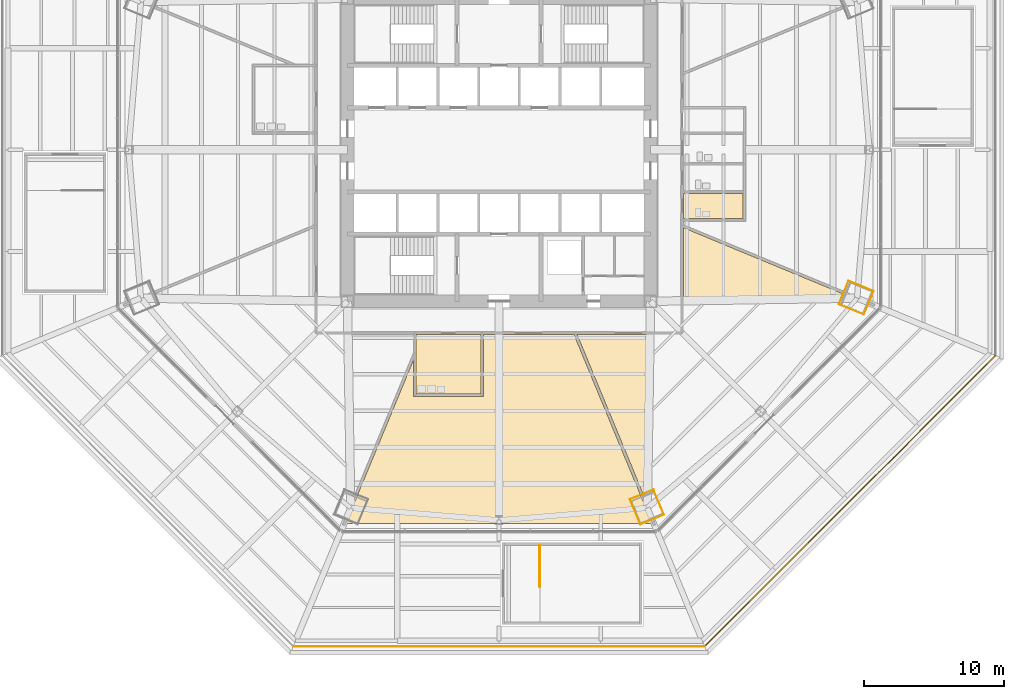
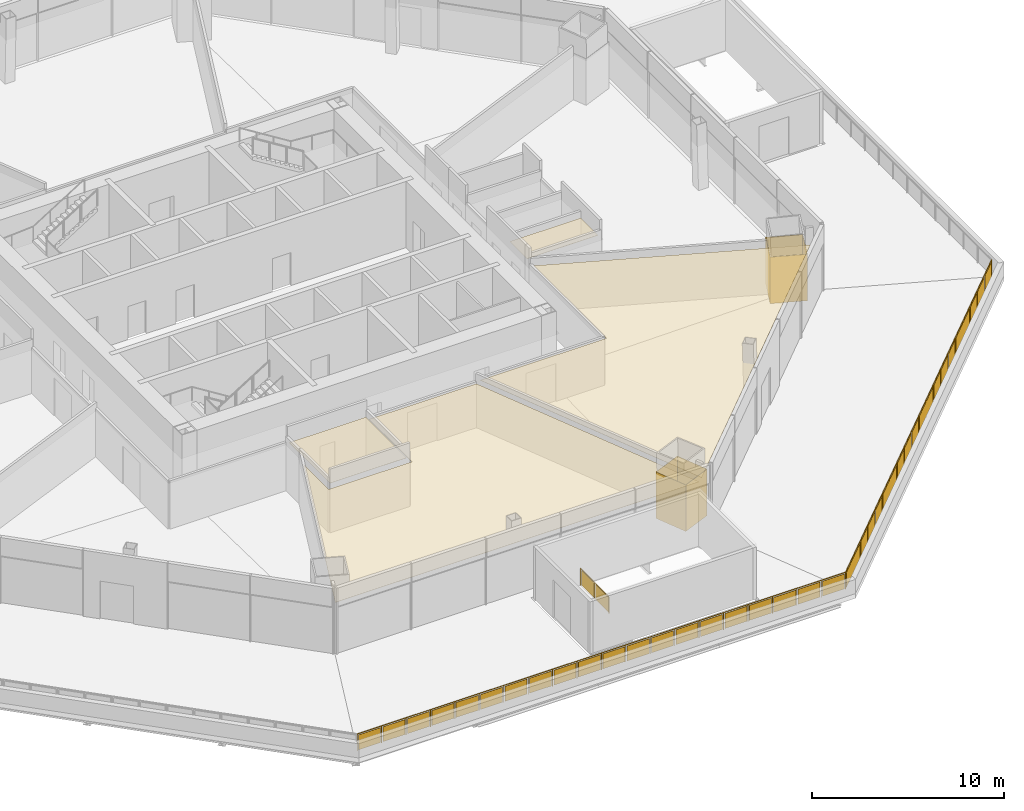
# One storey, part 20 of 25: 6 coverings, 3 railings.
"""IFC4 building model written with IfcOpenShell, lengths in metres."""

import ifcopenshell
import ifcopenshell.guid

model = None  # the IFC model being written
_history = None  # IfcOwnerHistory: only IFC2X3 demands one
_inside = {}  # id of a spatial element -> (the spatial element, [elements in it])
_under = {}  # id of a project, library or spatial element -> (it, [spatial elements below it])
_declared = {}  # id of a project -> (the project, [libraries it declares])
_typed = {}  # id of a type object -> (the type object, [elements of that type])
_made_of = {}  # id of a material, layer set ... -> (it, [elements and type objects made of it])


def new_model(schema):
    """Start an empty IFC model of exactly this schema.

    Asked for "IFC4X3", IfcOpenShell would pick the latest addendum, in which some entities
    have other attributes; the version numbers below select the first issue.
    IFC2X3 requires an IfcOwnerHistory on every rooted entity: one is made here for all.
    """
    global model, _history
    if schema == "IFC4X3":
        model = ifcopenshell.file(schema_version=(4, 3, 0, 0))
    else:
        model = ifcopenshell.file(schema=schema)
    _inside.clear()
    _under.clear()
    _declared.clear()
    _typed.clear()
    _made_of.clear()
    _history = None
    if model.schema == "IFC2X3":
        org = make("IfcOrganization", Name="unknown")
        user = make(
            "IfcPersonAndOrganization",
            ThePerson=make("IfcPerson", FamilyName="unknown"),
            TheOrganization=org,
        )
        app = make(
            "IfcApplication",
            ApplicationDeveloper=org,
            Version="unknown",
            ApplicationFullName="unknown",
            ApplicationIdentifier="unknown",
        )
        _history = make(
            "IfcOwnerHistory",
            OwningUser=user,
            OwningApplication=app,
            ChangeAction="ADDED",
            CreationDate=0,
        )
    return model


def make(cls, **values):
    """One entity of the class cls with the attributes given. An attribute that is None is left unset."""
    return model.create_entity(
        cls, **{name: value for name, value in values.items() if value is not None}
    )


def rooted(cls, **values):
    """An entity with a GlobalId (a new one), such as an element, a storey or a relation."""
    return make(cls, GlobalId=ifcopenshell.guid.new(), OwnerHistory=_history, **values)


def si_unit(unit_type, name, prefix=None):
    """IfcSIUnit, for example si_unit("LENGTHUNIT", "METRE", prefix="MILLI")."""
    return make("IfcSIUnit", UnitType=unit_type, Prefix=prefix, Name=name)


def assignment(units):
    """IfcUnitAssignment: the units of a project."""
    return None if units is None else make("IfcUnitAssignment", Units=units)


def point(xyz):
    """IfcCartesianPoint."""
    return None if xyz is None else make("IfcCartesianPoint", Coordinates=xyz)


def direction(xyz):
    """IfcDirection."""
    return None if xyz is None else make("IfcDirection", DirectionRatios=xyz)


def frame(location, z_axis=None, x_axis=None):
    """IfcAxis2Placement3D, a coordinate frame: its origin and axes. An axis left out is left unset."""
    return make(
        "IfcAxis2Placement3D",
        Location=point(location),
        Axis=direction(z_axis),
        RefDirection=direction(x_axis),
    )


def frame_2d(location, x_axis=None):
    """IfcAxis2Placement2D, a coordinate frame in the plane: its origin and x axis."""
    return make(
        "IfcAxis2Placement2D", Location=point(location), RefDirection=direction(x_axis)
    )


def origin():
    """The frame at (0, 0, 0) with its axes left unset."""
    return frame((0.0, 0.0, 0.0))


def origin_2d():
    """The frame at (0, 0) in the plane with its x axis left unset."""
    return frame_2d((0.0, 0.0))


def place(relative_to, where):
    """IfcLocalPlacement: puts the frame where relative to a parent placement (None: the world)."""
    return make(
        "IfcLocalPlacement", PlacementRelTo=relative_to, RelativePlacement=where
    )


def context(
    kind, dimensions, precision=None, world=None, true_north=None, identifier=None
):
    """IfcGeometricRepresentationContext, for example the 3D "Model" context."""
    return make(
        "IfcGeometricRepresentationContext",
        ContextIdentifier=identifier,
        ContextType=kind,
        CoordinateSpaceDimension=dimensions,
        Precision=precision,
        WorldCoordinateSystem=world,
        TrueNorth=true_north,
    )


def subcontext(parent, identifier, kind, view, scale=None):
    """IfcGeometricRepresentationSubContext, for example "Body" below "Model"."""
    return make(
        "IfcGeometricRepresentationSubContext",
        ContextIdentifier=identifier,
        ContextType=kind,
        ParentContext=parent,
        TargetScale=scale,
        TargetView=view,
    )


def project(units=None, contexts=None):
    """IfcProject with its units and contexts."""
    return rooted(
        "IfcProject",
        Name="project",
        RepresentationContexts=contexts,
        UnitsInContext=assignment(units),
    )


def spatial(cls, under=None, at=None, **own):
    """A site, building, storey or space (cls), placed at a placement, below another one or the project."""
    s = rooted(cls, ObjectPlacement=at, **own)
    if under is not None:
        _under.setdefault(under.id(), (under, []))[1].append(s)
    return s


def polyline(points):
    """IfcPolyline through the points."""
    return make("IfcPolyline", Points=[point(p) for p in points])


def profile(cls, at=None, kind="AREA", **sizes):
    """A parametric profile (cls). Its sizes go by their IFC names, for example OverallWidth=200.0."""
    return make(cls, ProfileType=kind, Position=at, **sizes)


def circle(**sizes):
    """IfcCircleProfileDef."""
    return profile("IfcCircleProfileDef", **sizes)


def outline(outer, holes=None, kind="AREA"):
    """IfcArbitraryClosedProfileDef: a profile drawn as a closed curve; with holes, ...WithVoids."""
    if holes is None:
        return make("IfcArbitraryClosedProfileDef", ProfileType=kind, OuterCurve=outer)
    return make(
        "IfcArbitraryProfileDefWithVoids",
        ProfileType=kind,
        OuterCurve=outer,
        InnerCurves=holes,
    )


def extrude(swept, where, along, depth):
    """IfcExtrudedAreaSolid: the profile swept, set in the frame where, extruded along a direction by depth."""
    return make(
        "IfcExtrudedAreaSolid",
        SweptArea=swept,
        Position=where,
        ExtrudedDirection=direction(along),
        Depth=depth,
    )


def shape(context_of_items, identifier, shape_type, items):
    """IfcShapeRepresentation: the items that make up one representation, for example the "Body"."""
    return make(
        "IfcShapeRepresentation",
        ContextOfItems=context_of_items,
        RepresentationIdentifier=identifier,
        RepresentationType=shape_type,
        Items=items,
    )


def material(Name=None, Category=None):
    """IfcMaterial."""
    return make("IfcMaterial", Name=Name, Category=Category)


def layer(
    of_material, thickness, ventilated=None, Name=None, Category=None, Priority=None
):
    """IfcMaterialLayer: one layer of a wall or slab, of a material (None: an air gap)."""
    return make(
        "IfcMaterialLayer",
        Material=of_material,
        LayerThickness=thickness,
        IsVentilated=ventilated,
        Name=Name,
        Category=Category,
        Priority=Priority,
    )


def layer_set(layers, Name=None):
    """IfcMaterialLayerSet."""
    return make("IfcMaterialLayerSet", MaterialLayers=layers, LayerSetName=Name)


def made_of(thing, what):
    """Note that an element or type object is made of a material, layer set ...; save() writes the relation."""
    if what is not None:
        _made_of.setdefault(what.id(), (what, []))[1].append(thing)
    return thing


def type_object(cls, material=None, **own):
    """A type object (cls), such as IfcWallType, which elements share."""
    return made_of(rooted(cls, **own), material)


def element(
    cls,
    number,
    at=None,
    inside=None,
    cuts=None,
    type_object=None,
    material=None,
    context=None,
    identifier="Body",
    shape_type=None,
    held_by="IfcProductDefinitionShape",
    body=None,
    shapes=None,
    **own,
):
    """One element of the class cls, such as IfcWall. Its Tag is "e" and its number.

    at: its placement. inside: the storey or other place that contains it. cuts: it is an
    opening in that element (IfcRelVoidsElement). A single representation is given by context,
    identifier, shape_type and body (its items); several are given by shapes. held_by: the class
    of the entity that holds the representations. save() writes the other relations.
    """
    e = rooted(cls, Tag="e%d" % number, ObjectPlacement=at, **own)
    if body is not None:
        shapes = [shape(context, identifier, shape_type, body)]
    if shapes is not None:
        e.Representation = make(held_by, Representations=shapes)
    if inside is not None:
        _inside.setdefault(inside.id(), (inside, []))[1].append(e)
    if cuts is not None:
        rooted(
            "IfcRelVoidsElement", RelatingBuildingElement=cuts, RelatedOpeningElement=e
        )
    if type_object is not None:
        _typed.setdefault(type_object.id(), (type_object, []))[1].append(e)
    return made_of(e, material)


def aggregate(whole, parts):
    """IfcRelAggregates: a whole, such as a stair, and the parts it consists of."""
    return rooted("IfcRelAggregates", RelatingObject=whole, RelatedObjects=parts)


def save(model, path):
    """Write the relations noted so far, then the file.

    IfcRelAggregates (storeys below a building ...), IfcRelContainedInSpatialStructure (elements
    in a storey), IfcRelDefinesByType, IfcRelAssociatesMaterial and IfcRelDeclares: one each for
    every whole, place, type object, material and project.
    """
    for whole, parts in _under.values():
        aggregate(whole, parts)
    for where, things in _inside.values():
        rooted(
            "IfcRelContainedInSpatialStructure",
            RelatedElements=things,
            RelatingStructure=where,
        )
    for kind, things in _typed.values():
        rooted("IfcRelDefinesByType", RelatedObjects=things, RelatingType=kind)
    for what, things in _made_of.values():
        rooted("IfcRelAssociatesMaterial", RelatedObjects=things, RelatingMaterial=what)
    for by, libraries in _declared.values():
        rooted("IfcRelDeclares", RelatingContext=by, RelatedDefinitions=libraries)
    model.write(path)


model = new_model("IFC4")

# Units and contexts
model_context = context("Model", 3, precision=1e-05, world=origin(), true_north=direction((0.0, 1.0)))
body_context = subcontext(model_context, "Body", "Model", "MODEL_VIEW")
ifc_project = project(units=[si_unit("LENGTHUNIT", "METRE"), si_unit("AREAUNIT", "SQUARE_METRE"), si_unit("VOLUMEUNIT", "CUBIC_METRE"), si_unit("PLANEANGLEUNIT", "RADIAN"), si_unit("MASSUNIT", "GRAM", prefix="KILO")], contexts=[model_context])

# Site, building, storey
site_placement = place(None, origin())
site = spatial("IfcSite", under=ifc_project, at=site_placement, CompositionType="ELEMENT")
building_placement = place(site_placement, origin())
building = spatial("IfcBuilding", under=site, at=building_placement, Name="Mashrafa Tower", CompositionType="ELEMENT")
storey_placement = place(building_placement, frame((0.0, 0.0, 28.800048828125)))
storey = spatial("IfcBuildingStorey", under=building, at=storey_placement, Name="L05", CompositionType="ELEMENT", Elevation=28.800048828125)

# Coverings
ifc_material_1 = material(Name="Gypsum board")
ifc_layer_1 = layer(ifc_material_1, 0.014892578125)
ifc_layer_set_1 = layer_set([ifc_layer_1], Name="Column casing plasterboard 15")
covering_type_1 = type_object("IfcCoveringType", Name="Column casing plasterboard 15", PredefinedType="CLADDING", material=ifc_layer_set_1)
covering_1_placement = place(storey_placement, origin())
element("IfcCovering", 1, at=covering_1_placement, inside=storey, type_object=covering_type_1, Name="Column casing L05-007", PredefinedType="CLADDING", context=body_context, shape_type="SweptSolid", body=[
    extrude(outline(polyline([(10.021484375, -26.5849609375), (9.32666015625, -24.907470703125), (11.017333984375, -24.20703125), (11.072265625, -24.33984375), (11.76708984375, -26.017333984375), (10.076416015625, -26.7177734375), (10.021484375, -26.5849609375)]), holes=[polyline([(11.74755859375, -26.00927734375), (11.058349609375, -24.345458984375), (11.00927734375, -24.226806640625), (9.34619140625, -24.91552734375), (10.035400390625, -26.579345703125), (10.084716796875, -26.697998046875), (11.74755859375, -26.00927734375)])]), origin(), (0.0, 0.0, 1.0), 2.949951171875),
])
covering_2_placement = place(storey_placement, origin())
element("IfcCovering", 2, at=covering_2_placement, inside=storey, type_object=covering_type_1, Name="Column casing L05-008", PredefinedType="CLADDING", context=body_context, shape_type="SweptSolid", body=[
    extrude(outline(polyline([(24.33984375, -11.072265625), (24.20703125, -11.017333984375), (24.907470703125, -9.32666015625), (26.5849609375, -10.021484375), (26.7177734375, -10.076416015625), (26.017333984375, -11.76708984375), (24.33984375, -11.072265625)]), holes=[polyline([(26.697998046875, -10.084716796875), (26.579345703125, -10.035400390625), (24.91552734375, -9.34619140625), (24.226806640625, -11.00927734375), (24.345458984375, -11.058349609375), (26.00927734375, -11.74755859375), (26.697998046875, -10.084716796875)])]), origin(), (0.0, 0.0, 1.0), 2.949951171875),
])

# Railings
ifc_material_2 = material(Name="Stainless steel guard with glass infill", Category="steel")
railing_type_1 = type_object("IfcRailingType", Name="Roof garden guard 1100 high", PredefinedType="GUARDRAIL", material=ifc_material_2)
railing_1_placement = place(storey_placement, frame((-14.6630859375, -35.39990234375, 0.0)))
element("IfcRailing", 3, at=railing_1_placement, inside=storey, type_object=railing_type_1, Name="Roof garden guard L05 south", PredefinedType="GUARDRAIL", context=body_context, shape_type="SweptSolid", body=[
    extrude(circle(Radius=0.02392578125, at=origin_2d()), frame((0.0, 0.0, 1.076171875), z_axis=(1.0, 0.0, 0.0), x_axis=(0.0, 1.0, 0.0)), (0.0, 0.0, 1.0), 29.326171875),
    extrude(circle(Radius=0.02099609375, at=origin_2d()), origin(), (0.0, 0.0, 1.0), 1.052001953125),
    extrude(circle(Radius=0.02099609375, at=origin_2d()), frame((1.46630859375, 0.0, 0.0)), (0.0, 0.0, 1.0), 1.052001953125),
    extrude(circle(Radius=0.02099609375, at=origin_2d()), frame((2.9326171875, 0.0, 0.0)), (0.0, 0.0, 1.0), 1.052001953125),
    extrude(circle(Radius=0.02099609375, at=origin_2d()), frame((4.39892578125, 0.0, 0.0)), (0.0, 0.0, 1.0), 1.052001953125),
    extrude(circle(Radius=0.02099609375, at=origin_2d()), frame((5.865234375, 0.0, 0.0)), (0.0, 0.0, 1.0), 1.052001953125),
    extrude(circle(Radius=0.02099609375, at=origin_2d()), frame((7.33154296875, 0.0, 0.0)), (0.0, 0.0, 1.0), 1.052001953125),
    extrude(circle(Radius=0.02099609375, at=origin_2d()), frame((8.7978515625, 0.0, 0.0)), (0.0, 0.0, 1.0), 1.052001953125),
    extrude(circle(Radius=0.02099609375, at=origin_2d()), frame((10.26416015625, 0.0, 0.0)), (0.0, 0.0, 1.0), 1.052001953125),
    extrude(circle(Radius=0.02099609375, at=origin_2d()), frame((11.73046875, 0.0, 0.0)), (0.0, 0.0, 1.0), 1.052001953125),
    extrude(circle(Radius=0.02099609375, at=origin_2d()), frame((13.19677734375, 0.0, 0.0)), (0.0, 0.0, 1.0), 1.052001953125),
    extrude(circle(Radius=0.02099609375, at=origin_2d()), frame((14.6630859375, 0.0, 0.0)), (0.0, 0.0, 1.0), 1.052001953125),
    extrude(circle(Radius=0.02099609375, at=origin_2d()), frame((16.12939453125, 0.0, 0.0)), (0.0, 0.0, 1.0), 1.052001953125),
    extrude(circle(Radius=0.02099609375, at=origin_2d()), frame((17.595703125, 0.0, 0.0)), (0.0, 0.0, 1.0), 1.052001953125),
    extrude(circle(Radius=0.02099609375, at=origin_2d()), frame((19.06201171875, 0.0, 0.0)), (0.0, 0.0, 1.0), 1.052001953125),
    extrude(circle(Radius=0.02099609375, at=origin_2d()), frame((20.5283203125, 0.0, 0.0)), (0.0, 0.0, 1.0), 1.052001953125),
    extrude(circle(Radius=0.02099609375, at=origin_2d()), frame((21.99462890625, 0.0, 0.0)), (0.0, 0.0, 1.0), 1.052001953125),
    extrude(circle(Radius=0.02099609375, at=origin_2d()), frame((23.4609375, 0.0, 0.0)), (0.0, 0.0, 1.0), 1.052001953125),
    extrude(circle(Radius=0.02099609375, at=origin_2d()), frame((24.92724609375, 0.0, 0.0)), (0.0, 0.0, 1.0), 1.052001953125),
    extrude(circle(Radius=0.02099609375, at=origin_2d()), frame((26.3935546875, 0.0, 0.0)), (0.0, 0.0, 1.0), 1.052001953125),
    extrude(circle(Radius=0.02099609375, at=origin_2d()), frame((27.85986328125, 0.0, 0.0)), (0.0, 0.0, 1.0), 1.052001953125),
    extrude(circle(Radius=0.02099609375, at=origin_2d()), frame((29.326171875, 0.0, 0.0)), (0.0, 0.0, 1.0), 1.052001953125),
    extrude(outline(polyline([(0.071044921875, 0.050048828125), (1.395263671875, 0.050048828125), (1.395263671875, 1.001953125), (0.071044921875, 1.001953125), (0.071044921875, 0.050048828125)])), frame((0.0, -0.006103515625, 0.0), z_axis=(0.0, -1.0, 0.0), x_axis=(1.0, 0.0, 0.0)), (0.0, 0.0, 1.0), 0.011962890625),
    extrude(outline(polyline([(1.537353515625, 0.050048828125), (2.861572265625, 0.050048828125), (2.861572265625, 1.001953125), (1.537353515625, 1.001953125), (1.537353515625, 0.050048828125)])), frame((0.0, -0.006103515625, 0.0), z_axis=(0.0, -1.0, 0.0), x_axis=(1.0, 0.0, 0.0)), (0.0, 0.0, 1.0), 0.011962890625),
    extrude(outline(polyline([(3.003662109375, 0.050048828125), (4.327880859375, 0.050048828125), (4.327880859375, 1.001953125), (3.003662109375, 1.001953125), (3.003662109375, 0.050048828125)])), frame((0.0, -0.006103515625, 0.0), z_axis=(0.0, -1.0, 0.0), x_axis=(1.0, 0.0, 0.0)), (0.0, 0.0, 1.0), 0.011962890625),
    extrude(outline(polyline([(4.469970703125, 0.050048828125), (5.794189453125, 0.050048828125), (5.794189453125, 1.001953125), (4.469970703125, 1.001953125), (4.469970703125, 0.050048828125)])), frame((0.0, -0.006103515625, 0.0), z_axis=(0.0, -1.0, 0.0), x_axis=(1.0, 0.0, 0.0)), (0.0, 0.0, 1.0), 0.011962890625),
    extrude(outline(polyline([(5.936279296875, 0.050048828125), (7.260498046875, 0.050048828125), (7.260498046875, 1.001953125), (5.936279296875, 1.001953125), (5.936279296875, 0.050048828125)])), frame((0.0, -0.006103515625, 0.0), z_axis=(0.0, -1.0, 0.0), x_axis=(1.0, 0.0, 0.0)), (0.0, 0.0, 1.0), 0.011962890625),
    extrude(outline(polyline([(7.402587890625, 0.050048828125), (8.726806640625, 0.050048828125), (8.726806640625, 1.001953125), (7.402587890625, 1.001953125), (7.402587890625, 0.050048828125)])), frame((0.0, -0.006103515625, 0.0), z_axis=(0.0, -1.0, 0.0), x_axis=(1.0, 0.0, 0.0)), (0.0, 0.0, 1.0), 0.011962890625),
    extrude(outline(polyline([(8.868896484375, 0.050048828125), (10.193115234375, 0.050048828125), (10.193115234375, 1.001953125), (8.868896484375, 1.001953125), (8.868896484375, 0.050048828125)])), frame((0.0, -0.006103515625, 0.0), z_axis=(0.0, -1.0, 0.0), x_axis=(1.0, 0.0, 0.0)), (0.0, 0.0, 1.0), 0.011962890625),
    extrude(outline(polyline([(10.335205078125, 0.050048828125), (11.659423828125, 0.050048828125), (11.659423828125, 1.001953125), (10.335205078125, 1.001953125), (10.335205078125, 0.050048828125)])), frame((0.0, -0.006103515625, 0.0), z_axis=(0.0, -1.0, 0.0), x_axis=(1.0, 0.0, 0.0)), (0.0, 0.0, 1.0), 0.011962890625),
    extrude(outline(polyline([(11.801513671875, 0.050048828125), (13.125732421875, 0.050048828125), (13.125732421875, 1.001953125), (11.801513671875, 1.001953125), (11.801513671875, 0.050048828125)])), frame((0.0, -0.006103515625, 0.0), z_axis=(0.0, -1.0, 0.0), x_axis=(1.0, 0.0, 0.0)), (0.0, 0.0, 1.0), 0.011962890625),
    extrude(outline(polyline([(13.267822265625, 0.050048828125), (14.592041015625, 0.050048828125), (14.592041015625, 1.001953125), (13.267822265625, 1.001953125), (13.267822265625, 0.050048828125)])), frame((0.0, -0.006103515625, 0.0), z_axis=(0.0, -1.0, 0.0), x_axis=(1.0, 0.0, 0.0)), (0.0, 0.0, 1.0), 0.011962890625),
    extrude(outline(polyline([(14.734130859375, 0.050048828125), (16.058349609375, 0.050048828125), (16.058349609375, 1.001953125), (14.734130859375, 1.001953125), (14.734130859375, 0.050048828125)])), frame((0.0, -0.006103515625, 0.0), z_axis=(0.0, -1.0, 0.0), x_axis=(1.0, 0.0, 0.0)), (0.0, 0.0, 1.0), 0.011962890625),
    extrude(outline(polyline([(16.200439453125, 0.050048828125), (17.524658203125, 0.050048828125), (17.524658203125, 1.001953125), (16.200439453125, 1.001953125), (16.200439453125, 0.050048828125)])), frame((0.0, -0.006103515625, 0.0), z_axis=(0.0, -1.0, 0.0), x_axis=(1.0, 0.0, 0.0)), (0.0, 0.0, 1.0), 0.011962890625),
    extrude(outline(polyline([(17.666748046875, 0.050048828125), (18.990966796875, 0.050048828125), (18.990966796875, 1.001953125), (17.666748046875, 1.001953125), (17.666748046875, 0.050048828125)])), frame((0.0, -0.006103515625, 0.0), z_axis=(0.0, -1.0, 0.0), x_axis=(1.0, 0.0, 0.0)), (0.0, 0.0, 1.0), 0.011962890625),
    extrude(outline(polyline([(19.133056640625, 0.050048828125), (20.457275390625, 0.050048828125), (20.457275390625, 1.001953125), (19.133056640625, 1.001953125), (19.133056640625, 0.050048828125)])), frame((0.0, -0.006103515625, 0.0), z_axis=(0.0, -1.0, 0.0), x_axis=(1.0, 0.0, 0.0)), (0.0, 0.0, 1.0), 0.011962890625),
    extrude(outline(polyline([(20.599365234375, 0.050048828125), (21.923583984375, 0.050048828125), (21.923583984375, 1.001953125), (20.599365234375, 1.001953125), (20.599365234375, 0.050048828125)])), frame((0.0, -0.006103515625, 0.0), z_axis=(0.0, -1.0, 0.0), x_axis=(1.0, 0.0, 0.0)), (0.0, 0.0, 1.0), 0.011962890625),
    extrude(outline(polyline([(22.065673828125, 0.050048828125), (23.389892578125, 0.050048828125), (23.389892578125, 1.001953125), (22.065673828125, 1.001953125), (22.065673828125, 0.050048828125)])), frame((0.0, -0.006103515625, 0.0), z_axis=(0.0, -1.0, 0.0), x_axis=(1.0, 0.0, 0.0)), (0.0, 0.0, 1.0), 0.011962890625),
    extrude(outline(polyline([(23.531982421875, 0.050048828125), (24.856201171875, 0.050048828125), (24.856201171875, 1.001953125), (23.531982421875, 1.001953125), (23.531982421875, 0.050048828125)])), frame((0.0, -0.006103515625, 0.0), z_axis=(0.0, -1.0, 0.0), x_axis=(1.0, 0.0, 0.0)), (0.0, 0.0, 1.0), 0.011962890625),
    extrude(outline(polyline([(24.998291015625, 0.050048828125), (26.322509765625, 0.050048828125), (26.322509765625, 1.001953125), (24.998291015625, 1.001953125), (24.998291015625, 0.050048828125)])), frame((0.0, -0.006103515625, 0.0), z_axis=(0.0, -1.0, 0.0), x_axis=(1.0, 0.0, 0.0)), (0.0, 0.0, 1.0), 0.011962890625),
    extrude(outline(polyline([(26.464599609375, 0.050048828125), (27.788818359375, 0.050048828125), (27.788818359375, 1.001953125), (26.464599609375, 1.001953125), (26.464599609375, 0.050048828125)])), frame((0.0, -0.006103515625, 0.0), z_axis=(0.0, -1.0, 0.0), x_axis=(1.0, 0.0, 0.0)), (0.0, 0.0, 1.0), 0.011962890625),
    extrude(outline(polyline([(27.930908203125, 0.050048828125), (29.255126953125, 0.050048828125), (29.255126953125, 1.001953125), (27.930908203125, 1.001953125), (27.930908203125, 0.050048828125)])), frame((0.0, -0.006103515625, 0.0), z_axis=(0.0, -1.0, 0.0), x_axis=(1.0, 0.0, 0.0)), (0.0, 0.0, 1.0), 0.011962890625),
])
railing_2_placement = place(storey_placement, frame((14.6630859375, -35.39990234375, 0.0)))
element("IfcRailing", 4, at=railing_2_placement, inside=storey, type_object=railing_type_1, Name="Roof garden guard L05 south-east", PredefinedType="GUARDRAIL", context=body_context, shape_type="SweptSolid", body=[
    extrude(circle(Radius=0.02392578125, at=origin_2d()), frame((0.0, 0.0, 1.076171875), z_axis=(0.707106781187, 0.707106781187, 0.0), x_axis=(-0.707106781187, 0.707106781187, 0.0)), (0.0, 0.0, 1.0), 29.326171875),
    extrude(circle(Radius=0.02099609375, at=origin_2d()), origin(), (0.0, 0.0, 1.0), 1.052001953125),
    extrude(circle(Radius=0.02099609375, at=origin_2d()), frame((1.036865234375, 1.036865234375, 0.0)), (0.0, 0.0, 1.0), 1.052001953125),
    extrude(circle(Radius=0.02099609375, at=origin_2d()), frame((2.07373046875, 2.07373046875, 0.0)), (0.0, 0.0, 1.0), 1.052001953125),
    extrude(circle(Radius=0.02099609375, at=origin_2d()), frame((3.110595703125, 3.110595703125, 0.0)), (0.0, 0.0, 1.0), 1.052001953125),
    extrude(circle(Radius=0.02099609375, at=origin_2d()), frame((4.1474609375, 4.1474609375, 0.0)), (0.0, 0.0, 1.0), 1.052001953125),
    extrude(circle(Radius=0.02099609375, at=origin_2d()), frame((5.18408203125, 5.18408203125, 0.0)), (0.0, 0.0, 1.0), 1.052001953125),
    extrude(circle(Radius=0.02099609375, at=origin_2d()), frame((6.220947265625, 6.220947265625, 0.0)), (0.0, 0.0, 1.0), 1.052001953125),
    extrude(circle(Radius=0.02099609375, at=origin_2d()), frame((7.2578125, 7.2578125, 0.0)), (0.0, 0.0, 1.0), 1.052001953125),
    extrude(circle(Radius=0.02099609375, at=origin_2d()), frame((8.294677734375, 8.294677734375, 0.0)), (0.0, 0.0, 1.0), 1.052001953125),
    extrude(circle(Radius=0.02099609375, at=origin_2d()), frame((9.33154296875, 9.33154296875, 0.0)), (0.0, 0.0, 1.0), 1.052001953125),
    extrude(circle(Radius=0.02099609375, at=origin_2d()), frame((10.368408203125, 10.368408203125, 0.0)), (0.0, 0.0, 1.0), 1.052001953125),
    extrude(circle(Radius=0.02099609375, at=origin_2d()), frame((11.4052734375, 11.4052734375, 0.0)), (0.0, 0.0, 1.0), 1.052001953125),
    extrude(circle(Radius=0.02099609375, at=origin_2d()), frame((12.442138671875, 12.442138671875, 0.0)), (0.0, 0.0, 1.0), 1.052001953125),
    extrude(circle(Radius=0.02099609375, at=origin_2d()), frame((13.47900390625, 13.47900390625, 0.0)), (0.0, 0.0, 1.0), 1.052001953125),
    extrude(circle(Radius=0.02099609375, at=origin_2d()), frame((14.515869140625, 14.515869140625, 0.0)), (0.0, 0.0, 1.0), 1.052001953125),
    extrude(circle(Radius=0.02099609375, at=origin_2d()), frame((15.552734375, 15.552734375, 0.0)), (0.0, 0.0, 1.0), 1.052001953125),
    extrude(circle(Radius=0.02099609375, at=origin_2d()), frame((16.58935546875, 16.58935546875, 0.0)), (0.0, 0.0, 1.0), 1.052001953125),
    extrude(circle(Radius=0.02099609375, at=origin_2d()), frame((17.626220703125, 17.626220703125, 0.0)), (0.0, 0.0, 1.0), 1.052001953125),
    extrude(circle(Radius=0.02099609375, at=origin_2d()), frame((18.6630859375, 18.6630859375, 0.0)), (0.0, 0.0, 1.0), 1.052001953125),
    extrude(circle(Radius=0.02099609375, at=origin_2d()), frame((19.699951171875, 19.699951171875, 0.0)), (0.0, 0.0, 1.0), 1.052001953125),
    extrude(circle(Radius=0.02099609375, at=origin_2d()), frame((20.73681640625, 20.73681640625, 0.0)), (0.0, 0.0, 1.0), 1.052001953125),
    extrude(outline(polyline([(0.071044921875, 0.050048828125), (1.395263671875, 0.050048828125), (1.395263671875, 1.001953125), (0.071044921875, 1.001953125), (0.071044921875, 0.050048828125)])), frame((0.004150390625, -0.004150390625, 0.0), z_axis=(0.707106781187, -0.707106781187, 0.0), x_axis=(0.707106781187, 0.707106781187, 0.0)), (0.0, 0.0, 1.0), 0.011962890625),
    extrude(outline(polyline([(1.537353515625, 0.050048828125), (2.861572265625, 0.050048828125), (2.861572265625, 1.001953125), (1.537353515625, 1.001953125), (1.537353515625, 0.050048828125)])), frame((0.004150390625, -0.004150390625, 0.0), z_axis=(0.707106781187, -0.707106781187, 0.0), x_axis=(0.707106781187, 0.707106781187, 0.0)), (0.0, 0.0, 1.0), 0.011962890625),
    extrude(outline(polyline([(3.003662109375, 0.050048828125), (4.327880859375, 0.050048828125), (4.327880859375, 1.001953125), (3.003662109375, 1.001953125), (3.003662109375, 0.050048828125)])), frame((0.004150390625, -0.004150390625, 0.0), z_axis=(0.707106781187, -0.707106781187, 0.0), x_axis=(0.707106781187, 0.707106781187, 0.0)), (0.0, 0.0, 1.0), 0.011962890625),
    extrude(outline(polyline([(4.469970703125, 0.050048828125), (5.794189453125, 0.050048828125), (5.794189453125, 1.001953125), (4.469970703125, 1.001953125), (4.469970703125, 0.050048828125)])), frame((0.004150390625, -0.004150390625, 0.0), z_axis=(0.707106781187, -0.707106781187, 0.0), x_axis=(0.707106781187, 0.707106781187, 0.0)), (0.0, 0.0, 1.0), 0.011962890625),
    extrude(outline(polyline([(5.936279296875, 0.050048828125), (7.260498046875, 0.050048828125), (7.260498046875, 1.001953125), (5.936279296875, 1.001953125), (5.936279296875, 0.050048828125)])), frame((0.004150390625, -0.004150390625, 0.0), z_axis=(0.707106781187, -0.707106781187, 0.0), x_axis=(0.707106781187, 0.707106781187, 0.0)), (0.0, 0.0, 1.0), 0.011962890625),
    extrude(outline(polyline([(7.402587890625, 0.050048828125), (8.726806640625, 0.050048828125), (8.726806640625, 1.001953125), (7.402587890625, 1.001953125), (7.402587890625, 0.050048828125)])), frame((0.004150390625, -0.004150390625, 0.0), z_axis=(0.707106781187, -0.707106781187, 0.0), x_axis=(0.707106781187, 0.707106781187, 0.0)), (0.0, 0.0, 1.0), 0.011962890625),
    extrude(outline(polyline([(8.868896484375, 0.050048828125), (10.193115234375, 0.050048828125), (10.193115234375, 1.001953125), (8.868896484375, 1.001953125), (8.868896484375, 0.050048828125)])), frame((0.004150390625, -0.004150390625, 0.0), z_axis=(0.707106781187, -0.707106781187, 0.0), x_axis=(0.707106781187, 0.707106781187, 0.0)), (0.0, 0.0, 1.0), 0.011962890625),
    extrude(outline(polyline([(10.335205078125, 0.050048828125), (11.659423828125, 0.050048828125), (11.659423828125, 1.001953125), (10.335205078125, 1.001953125), (10.335205078125, 0.050048828125)])), frame((0.004150390625, -0.004150390625, 0.0), z_axis=(0.707106781187, -0.707106781187, 0.0), x_axis=(0.707106781187, 0.707106781187, 0.0)), (0.0, 0.0, 1.0), 0.011962890625),
    extrude(outline(polyline([(11.801513671875, 0.050048828125), (13.125732421875, 0.050048828125), (13.125732421875, 1.001953125), (11.801513671875, 1.001953125), (11.801513671875, 0.050048828125)])), frame((0.004150390625, -0.004150390625, 0.0), z_axis=(0.707106781187, -0.707106781187, 0.0), x_axis=(0.707106781187, 0.707106781187, 0.0)), (0.0, 0.0, 1.0), 0.011962890625),
    extrude(outline(polyline([(13.267822265625, 0.050048828125), (14.592041015625, 0.050048828125), (14.592041015625, 1.001953125), (13.267822265625, 1.001953125), (13.267822265625, 0.050048828125)])), frame((0.004150390625, -0.004150390625, 0.0), z_axis=(0.707106781187, -0.707106781187, 0.0), x_axis=(0.707106781187, 0.707106781187, 0.0)), (0.0, 0.0, 1.0), 0.011962890625),
    extrude(outline(polyline([(14.734130859375, 0.050048828125), (16.058349609375, 0.050048828125), (16.058349609375, 1.001953125), (14.734130859375, 1.001953125), (14.734130859375, 0.050048828125)])), frame((0.004150390625, -0.004150390625, 0.0), z_axis=(0.707106781187, -0.707106781187, 0.0), x_axis=(0.707106781187, 0.707106781187, 0.0)), (0.0, 0.0, 1.0), 0.011962890625),
    extrude(outline(polyline([(16.200439453125, 0.050048828125), (17.524658203125, 0.050048828125), (17.524658203125, 1.001953125), (16.200439453125, 1.001953125), (16.200439453125, 0.050048828125)])), frame((0.004150390625, -0.004150390625, 0.0), z_axis=(0.707106781187, -0.707106781187, 0.0), x_axis=(0.707106781187, 0.707106781187, 0.0)), (0.0, 0.0, 1.0), 0.011962890625),
    extrude(outline(polyline([(17.666748046875, 0.050048828125), (18.9912109375, 0.050048828125), (18.9912109375, 1.001953125), (17.666748046875, 1.001953125), (17.666748046875, 0.050048828125)])), frame((0.004150390625, -0.004150390625, 0.0), z_axis=(0.707106781187, -0.707106781187, 0.0), x_axis=(0.707106781187, 0.707106781187, 0.0)), (0.0, 0.0, 1.0), 0.011962890625),
    extrude(outline(polyline([(19.133056640625, 0.050048828125), (20.45751953125, 0.050048828125), (20.45751953125, 1.001953125), (19.133056640625, 1.001953125), (19.133056640625, 0.050048828125)])), frame((0.004150390625, -0.004150390625, 0.0), z_axis=(0.707106781187, -0.707106781187, 0.0), x_axis=(0.707106781187, 0.707106781187, 0.0)), (0.0, 0.0, 1.0), 0.011962890625),
    extrude(outline(polyline([(20.599365234375, 0.050048828125), (21.923828125, 0.050048828125), (21.923828125, 1.001953125), (20.599365234375, 1.001953125), (20.599365234375, 0.050048828125)])), frame((0.004150390625, -0.004150390625, 0.0), z_axis=(0.707106781187, -0.707106781187, 0.0), x_axis=(0.707106781187, 0.707106781187, 0.0)), (0.0, 0.0, 1.0), 0.011962890625),
    extrude(outline(polyline([(22.065673828125, 0.050048828125), (23.39013671875, 0.050048828125), (23.39013671875, 1.001953125), (22.065673828125, 1.001953125), (22.065673828125, 0.050048828125)])), frame((0.004150390625, -0.004150390625, 0.0), z_axis=(0.707106781187, -0.707106781187, 0.0), x_axis=(0.707106781187, 0.707106781187, 0.0)), (0.0, 0.0, 1.0), 0.011962890625),
    extrude(outline(polyline([(23.531982421875, 0.050048828125), (24.8564453125, 0.050048828125), (24.8564453125, 1.001953125), (23.531982421875, 1.001953125), (23.531982421875, 0.050048828125)])), frame((0.004150390625, -0.004150390625, 0.0), z_axis=(0.707106781187, -0.707106781187, 0.0), x_axis=(0.707106781187, 0.707106781187, 0.0)), (0.0, 0.0, 1.0), 0.011962890625),
    extrude(outline(polyline([(24.998291015625, 0.050048828125), (26.32275390625, 0.050048828125), (26.32275390625, 1.001953125), (24.998291015625, 1.001953125), (24.998291015625, 0.050048828125)])), frame((0.004150390625, -0.004150390625, 0.0), z_axis=(0.707106781187, -0.707106781187, 0.0), x_axis=(0.707106781187, 0.707106781187, 0.0)), (0.0, 0.0, 1.0), 0.011962890625),
    extrude(outline(polyline([(26.464599609375, 0.050048828125), (27.7890625, 0.050048828125), (27.7890625, 1.001953125), (26.464599609375, 1.001953125), (26.464599609375, 0.050048828125)])), frame((0.004150390625, -0.004150390625, 0.0), z_axis=(0.707106781187, -0.707106781187, 0.0), x_axis=(0.707106781187, 0.707106781187, 0.0)), (0.0, 0.0, 1.0), 0.011962890625),
    extrude(outline(polyline([(27.930908203125, 0.050048828125), (29.25537109375, 0.050048828125), (29.25537109375, 1.001953125), (27.930908203125, 1.001953125), (27.930908203125, 0.050048828125)])), frame((0.004150390625, -0.004150390625, 0.0), z_axis=(0.707106781187, -0.707106781187, 0.0), x_axis=(0.707106781187, 0.707106781187, 0.0)), (0.0, 0.0, 1.0), 0.011962890625),
])
ifc_material_3 = material(Name="Steel guard with glass infill", Category="steel")
railing_type_2 = type_object("IfcRailingType", Name="Stair guard 1100", PredefinedType="GUARDRAIL", material=ifc_material_3)
railing_3_placement = place(storey_placement, frame((2.89990234375, -31.14990234375, 0.0)))
element("IfcRailing", 5, at=railing_3_placement, inside=storey, type_object=railing_type_2, Name="Stair P4 guard L05", PredefinedType="GUARDRAIL", context=body_context, shape_type="SweptSolid", body=[
    extrude(circle(Radius=0.02392578125, at=origin_2d()), frame((0.0, 0.0, 1.076171875), z_axis=(0.0, 1.0, 0.0), x_axis=(-1.0, 0.0, 0.0)), (0.0, 0.0, 1.0), 2.949951171875),
    extrude(circle(Radius=0.02099609375, at=origin_2d()), origin(), (0.0, 0.0, 1.0), 1.052001953125),
    extrude(circle(Radius=0.02099609375, at=origin_2d()), frame((0.0, 1.47509765625, 0.0)), (0.0, 0.0, 1.0), 1.052001953125),
    extrude(circle(Radius=0.02099609375, at=origin_2d()), frame((0.0, 2.949951171875, 0.0)), (0.0, 0.0, 1.0), 1.052001953125),
    extrude(outline(polyline([(0.071044921875, 0.050048828125), (1.404052734375, 0.050048828125), (1.404052734375, 1.001953125), (0.071044921875, 1.001953125), (0.071044921875, 0.050048828125)])), frame((0.006103515625, 0.0, 0.0), z_axis=(1.0, 0.0, 0.0), x_axis=(0.0, 1.0, 0.0)), (0.0, 0.0, 1.0), 0.011962890625),
    extrude(outline(polyline([(1.5458984375, 0.050048828125), (2.87890625, 0.050048828125), (2.87890625, 1.001953125), (1.5458984375, 1.001953125), (1.5458984375, 0.050048828125)])), frame((0.006103515625, 0.0, 0.0), z_axis=(1.0, 0.0, 0.0), x_axis=(0.0, 1.0, 0.0)), (0.0, 0.0, 1.0), 0.011962890625),
])

# Coverings
ifc_material_4 = material(Name="Gypsum board on suspension grid")
ifc_layer_2 = layer(ifc_material_4, 0.012451171875)
ifc_layer_set_2 = layer_set([ifc_layer_2], Name="Suspended ceiling gypsum 12.5")
covering_type_2 = type_object("IfcCoveringType", Name="Suspended ceiling gypsum 12.5", PredefinedType="CEILING", material=ifc_layer_set_2)
covering_3_placement = place(storey_placement, frame((0.0, 0.0, 3.0)))
element("IfcCovering", 6, at=covering_3_placement, inside=storey, type_object=covering_type_2, Name="Ceiling WC Female L05", PredefinedType="CEILING", context=body_context, shape_type="SweptSolid", body=[
    extrude(outline(polyline([(13.14990234375, -4.89990234375), (13.14990234375, -3.10009765625), (17.39990234375, -3.10009765625), (17.39990234375, -4.89990234375), (13.14990234375, -4.89990234375)])), origin(), (0.0, 0.0, 1.0), 0.012451171875),
])
covering_4_placement = place(storey_placement, frame((0.0, 0.0, 3.0)))
element("IfcCovering", 7, at=covering_4_placement, inside=storey, type_object=covering_type_2, Name="Ceiling Ablution Room Women L05", PredefinedType="CEILING", context=body_context, shape_type="SweptSolid", body=[
    extrude(outline(polyline([(-5.89990234375, -17.39990234375), (-5.89990234375, -13.14990234375), (-1.300048828125, -13.14990234375), (-1.300048828125, -17.39990234375), (-5.89990234375, -17.39990234375)])), origin(), (0.0, 0.0, 1.0), 0.012451171875),
])
covering_5_placement = place(storey_placement, frame((0.0, 0.0, 2.800048828125)))
element("IfcCovering", 8, at=covering_5_placement, inside=storey, type_object=covering_type_2, Name="Ceiling Prayer Room Women L05", PredefinedType="CEILING", context=body_context, shape_type="SweptSolid", body=[
    extrude(outline(polyline([(-1.10009765625, -13.14990234375), (5.338623046875, -13.14990234375), (10.9306640625, -26.64990234375), (-10.9306640625, -26.64990234375), (-6.10009765625, -14.988037109375), (-6.10009765625, -17.60009765625), (-1.10009765625, -17.60009765625), (-1.10009765625, -13.14990234375)])), origin(), (0.0, 0.0, 1.0), 0.012451171875),
])
covering_6_placement = place(storey_placement, frame((0.0, 0.0, 2.949951171875)))
element("IfcCovering", 9, at=covering_6_placement, inside=storey, type_object=covering_type_2, Name="Ceiling Winter Garden Reading Room South-East L05", PredefinedType="CEILING", context=body_context, shape_type="SweptSolid", body=[
    extrude(outline(polyline([(5.55517578125, -13.14990234375), (13.14990234375, -13.14990234375), (13.14990234375, -5.55517578125), (26.573486328125, -11.115234375), (11.115234375, -26.573486328125), (5.55517578125, -13.14990234375)])), origin(), (0.0, 0.0, 1.0), 0.012451171875),
])

save(model, "model.ifc")
